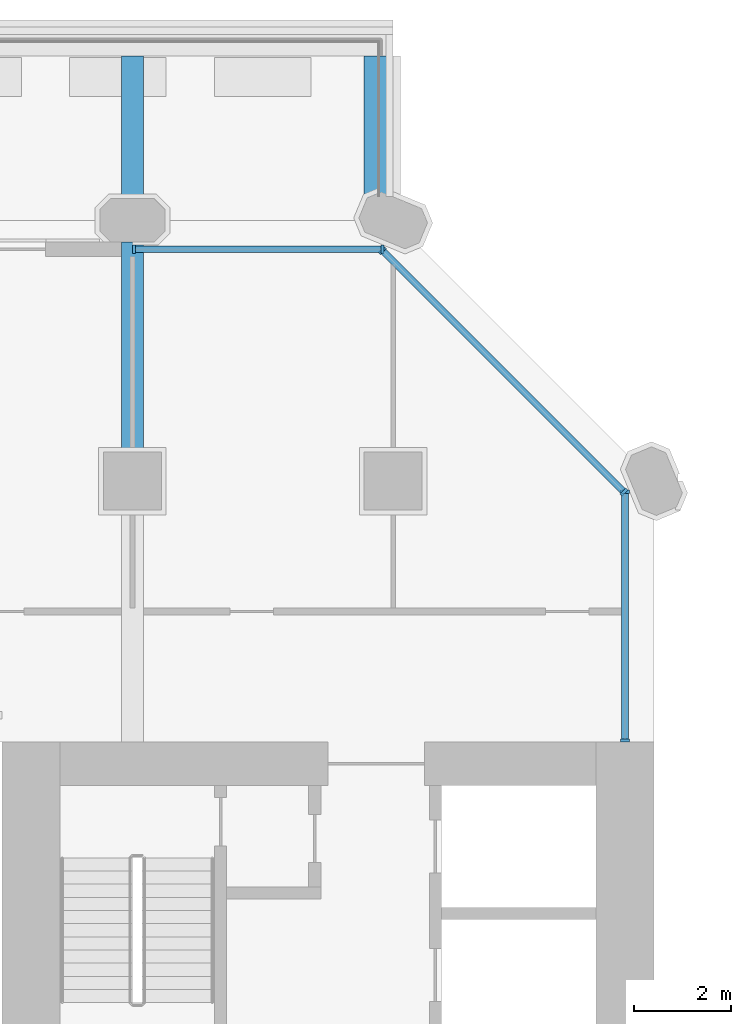
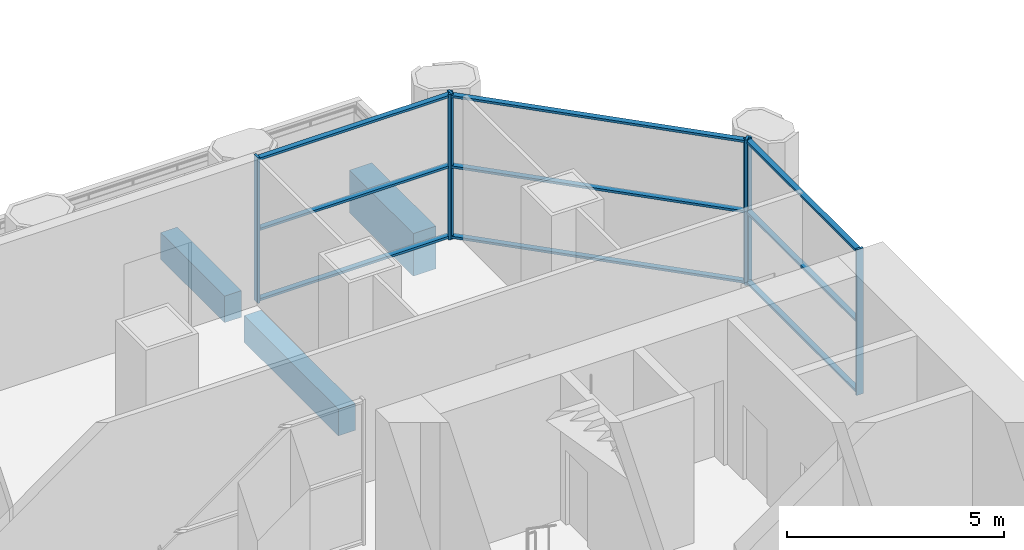
# One storey, part 9 of 23: 15 members, 3 beams, 3 elements without a shape of their own.
"""IFC4 building model written with IfcOpenShell, lengths in metres."""

from ifc_helpers import new_model, si_unit, direction, frame, origin, origin_2d, place, context, subcontext, project, spatial, rectangle, extrude, material, material_profile, profile_set, type_object, element, aggregate, save


model = new_model("IFC4")

# Units and contexts
model_context = context("Model", 3, precision=1e-05, world=origin(), true_north=direction((0.0, 1.0)))
body_context = subcontext(model_context, "Body", "Model", "MODEL_VIEW")
ifc_project = project(units=[si_unit("LENGTHUNIT", "METRE"), si_unit("AREAUNIT", "SQUARE_METRE"), si_unit("VOLUMEUNIT", "CUBIC_METRE"), si_unit("PLANEANGLEUNIT", "RADIAN"), si_unit("MASSUNIT", "GRAM", prefix="KILO")], contexts=[model_context])

# Site, building, storey
site_placement = place(None, origin())
site = spatial("IfcSite", under=ifc_project, at=site_placement, CompositionType="ELEMENT")
building_placement = place(site_placement, origin())
building = spatial("IfcBuilding", under=site, at=building_placement, Name="Tabaq Tower and Sports Hall", CompositionType="ELEMENT")
storey_placement = place(building_placement, frame((0.0, 0.0, 24.60009765625)))
storey = spatial("IfcBuildingStorey", under=building, at=storey_placement, Name="L04", CompositionType="ELEMENT", Elevation=24.60009765625)

# Curtain wall, members
ifc_material_1 = material(Name="Aluminium alloy 6063-T6 framed glazing", Category="aluminium")
curtain_wall_type = type_object("IfcCurtainWallType", Name="CW7 curtain wall", PredefinedType="USERDEFINED", material=ifc_material_1)
curtain_wall_1_placement = place(storey_placement, origin())
curtain_wall_1 = element("IfcCurtainWall", 1, at=curtain_wall_1_placement, inside=storey, type_object=curtain_wall_type, Name="Podium Wall L04 E", ObjectType="PODIUM WALL", PredefinedType="USERDEFINED")
ifc_material_2 = material(Name="Aluminium alloy 6063-T6", Category="aluminium")
ifc_material_profile_1 = material_profile(ifc_material_2, rectangle(XDim=0.179931640625, YDim=0.06494140625, at=origin_2d()), Name="MULLION 180x65")
ifc_profile_set_1 = profile_set([ifc_material_profile_1], Name="Aluminium alloy 6063-T6")
member_type_1 = type_object("IfcMemberType", Name="CW7 mullion 180x65", PredefinedType="MULLION", material=ifc_profile_set_1)
member_1_placement = place(storey_placement, frame((42.60009765625, 32.4326171875, 0.0), z_axis=(0.0, 0.0, 1.0), x_axis=(-1.0, 0.0, 0.0)))
member_1 = element("IfcMember", 2, at=member_1_placement, type_object=member_type_1, Name="CW7 mullion 1", PredefinedType="MULLION", context=body_context, shape_type="SweptSolid", body=[
    extrude(rectangle(XDim=0.179931640625, YDim=0.06494140625, at=origin_2d()), origin(), (0.0, 0.0, 1.0), 4.099853515625),
])
member_2_placement = place(storey_placement, frame((42.60009765625, 37.5810546875, 0.0), z_axis=(0.0, 0.0, 1.0), x_axis=(-1.0, 0.0, 0.0)))
member_2 = element("IfcMember", 3, at=member_2_placement, type_object=member_type_1, Name="CW7 mullion 2", PredefinedType="MULLION", context=body_context, shape_type="SweptSolid", body=[
    extrude(rectangle(XDim=0.179931640625, YDim=0.06494140625, at=origin_2d()), origin(), (0.0, 0.0, 1.0), 4.099853515625),
])

curtain_wall_2_placement = place(storey_placement, origin())
curtain_wall_2 = element("IfcCurtainWall", 4, at=curtain_wall_2_placement, inside=storey, type_object=curtain_wall_type, Name="Podium Wall L04 NE", ObjectType="PODIUM WALL", PredefinedType="USERDEFINED")
member_3_placement = place(storey_placement, frame((42.576904296875, 37.574462890625, 0.0), z_axis=(0.0, 0.0, 1.0), x_axis=(-0.707106781187, -0.707106781187, 0.0)))
member_3 = element("IfcMember", 5, at=member_3_placement, type_object=member_type_1, Name="CW7 mullion 1", PredefinedType="MULLION", context=body_context, shape_type="SweptSolid", body=[
    extrude(rectangle(XDim=0.179931640625, YDim=0.06494140625, at=origin_2d()), origin(), (0.0, 0.0, 1.0), 4.099853515625),
])
member_4_placement = place(storey_placement, frame((37.574462890625, 42.576904296875, 0.0), z_axis=(0.0, 0.0, 1.0), x_axis=(-0.707106781187, -0.707106781187, 0.0)))
member_4 = element("IfcMember", 6, at=member_4_placement, type_object=member_type_1, Name="CW7 mullion 2", PredefinedType="MULLION", context=body_context, shape_type="SweptSolid", body=[
    extrude(rectangle(XDim=0.179931640625, YDim=0.06494140625, at=origin_2d()), origin(), (0.0, 0.0, 1.0), 4.099853515625),
])

curtain_wall_3_placement = place(storey_placement, origin())
curtain_wall_3 = element("IfcCurtainWall", 7, at=curtain_wall_3_placement, inside=storey, type_object=curtain_wall_type, Name="Podium Wall L04 N", ObjectType="PODIUM WALL", PredefinedType="USERDEFINED")
member_5_placement = place(storey_placement, frame((37.5810546875, 42.60009765625, 0.0), z_axis=(0.0, 0.0, 1.0), x_axis=(0.0, -1.0, 0.0)))
member_5 = element("IfcMember", 8, at=member_5_placement, type_object=member_type_1, Name="CW7 mullion 1", PredefinedType="MULLION", context=body_context, shape_type="SweptSolid", body=[
    extrude(rectangle(XDim=0.179931640625, YDim=0.06494140625, at=origin_2d()), origin(), (0.0, 0.0, 1.0), 4.099853515625),
])
member_6_placement = place(storey_placement, frame((32.4326171875, 42.60009765625, 0.0), z_axis=(0.0, 0.0, 1.0), x_axis=(0.0, -1.0, 0.0)))
member_6 = element("IfcMember", 9, at=member_6_placement, type_object=member_type_1, Name="CW7 mullion 2", PredefinedType="MULLION", context=body_context, shape_type="SweptSolid", body=[
    extrude(rectangle(XDim=0.179931640625, YDim=0.06494140625, at=origin_2d()), origin(), (0.0, 0.0, 1.0), 4.099853515625),
])

# Member
ifc_material_3 = material(Name="Aluminium alloy 6063-T6", Category="aluminium")
ifc_material_profile_2 = material_profile(ifc_material_3, rectangle(XDim=0.139892578125, YDim=0.06494140625, at=origin_2d()), Name="TRANSOM 140x65")
ifc_profile_set_2 = profile_set([ifc_material_profile_2], Name="Aluminium alloy 6063-T6")
member_type_2 = type_object("IfcMemberType", Name="CW7 transom 140x65", PredefinedType="USERDEFINED", material=ifc_profile_set_2)
member_7_placement = place(storey_placement, frame((42.60009765625, 32.465087890625, 0.06982421875), z_axis=(0.0, 1.0, 0.0), x_axis=(-1.0, 0.0, 0.0)))
member_7 = element("IfcMember", 10, at=member_7_placement, type_object=member_type_2, Name="CW7 transom 1.1", ObjectType="TRANSOM", PredefinedType="USERDEFINED", context=body_context, shape_type="SweptSolid", body=[
    extrude(rectangle(XDim=0.139892578125, YDim=0.06494140625, at=origin_2d()), origin(), (0.0, 0.0, 1.0), 5.08349609375),
])

member_8_placement = place(storey_placement, frame((42.60009765625, 32.465087890625, 2.0498046875), z_axis=(0.0, 1.0, 0.0), x_axis=(-1.0, 0.0, 0.0)))
member_8 = element("IfcMember", 11, at=member_8_placement, type_object=member_type_2, Name="CW7 transom 1.2", ObjectType="TRANSOM", PredefinedType="USERDEFINED", context=body_context, shape_type="SweptSolid", body=[
    extrude(rectangle(XDim=0.139892578125, YDim=0.06494140625, at=origin_2d()), origin(), (0.0, 0.0, 1.0), 5.08349609375),
])

member_9_placement = place(storey_placement, frame((42.60009765625, 32.465087890625, 4.02978515625), z_axis=(0.0, 1.0, 0.0), x_axis=(-1.0, 0.0, 0.0)))
member_9 = element("IfcMember", 12, at=member_9_placement, type_object=member_type_2, Name="CW7 transom 1.3", ObjectType="TRANSOM", PredefinedType="USERDEFINED", context=body_context, shape_type="SweptSolid", body=[
    extrude(rectangle(XDim=0.139892578125, YDim=0.06494140625, at=origin_2d()), origin(), (0.0, 0.0, 1.0), 5.08349609375),
])

aggregate(curtain_wall_1, [member_1, member_2, member_7, member_8, member_9])

member_10_placement = place(storey_placement, frame((42.553955078125, 37.597412109375, 0.06982421875), z_axis=(-0.707106781187, 0.707106781187, 0.0), x_axis=(-0.707106781187, -0.707106781187, 0.0)))
member_10 = element("IfcMember", 13, at=member_10_placement, type_object=member_type_2, Name="CW7 transom 1.1", ObjectType="TRANSOM", PredefinedType="USERDEFINED", context=body_context, shape_type="SweptSolid", body=[
    extrude(rectangle(XDim=0.139892578125, YDim=0.06494140625, at=origin_2d()), origin(), (0.0, 0.0, 1.0), 7.009521484375),
])

member_11_placement = place(storey_placement, frame((42.553955078125, 37.597412109375, 2.0498046875), z_axis=(-0.707106781187, 0.707106781187, 0.0), x_axis=(-0.707106781187, -0.707106781187, 0.0)))
member_11 = element("IfcMember", 14, at=member_11_placement, type_object=member_type_2, Name="CW7 transom 1.2", ObjectType="TRANSOM", PredefinedType="USERDEFINED", context=body_context, shape_type="SweptSolid", body=[
    extrude(rectangle(XDim=0.139892578125, YDim=0.06494140625, at=origin_2d()), origin(), (0.0, 0.0, 1.0), 7.009521484375),
])

member_12_placement = place(storey_placement, frame((42.553955078125, 37.597412109375, 4.02978515625), z_axis=(-0.707106781187, 0.707106781187, 0.0), x_axis=(-0.707106781187, -0.707106781187, 0.0)))
member_12 = element("IfcMember", 15, at=member_12_placement, type_object=member_type_2, Name="CW7 transom 1.3", ObjectType="TRANSOM", PredefinedType="USERDEFINED", context=body_context, shape_type="SweptSolid", body=[
    extrude(rectangle(XDim=0.139892578125, YDim=0.06494140625, at=origin_2d()), origin(), (0.0, 0.0, 1.0), 7.009521484375),
])

aggregate(curtain_wall_2, [member_3, member_4, member_10, member_11, member_12])

member_13_placement = place(storey_placement, frame((37.548583984375, 42.60009765625, 0.06982421875), z_axis=(-1.0, 0.0, 0.0), x_axis=(0.0, -1.0, 0.0)))
member_13 = element("IfcMember", 16, at=member_13_placement, type_object=member_type_2, Name="CW7 transom 1.1", ObjectType="TRANSOM", PredefinedType="USERDEFINED", context=body_context, shape_type="SweptSolid", body=[
    extrude(rectangle(XDim=0.139892578125, YDim=0.06494140625, at=origin_2d()), origin(), (0.0, 0.0, 1.0), 5.08349609375),
])

member_14_placement = place(storey_placement, frame((37.548583984375, 42.60009765625, 2.0498046875), z_axis=(-1.0, 0.0, 0.0), x_axis=(0.0, -1.0, 0.0)))
member_14 = element("IfcMember", 17, at=member_14_placement, type_object=member_type_2, Name="CW7 transom 1.2", ObjectType="TRANSOM", PredefinedType="USERDEFINED", context=body_context, shape_type="SweptSolid", body=[
    extrude(rectangle(XDim=0.139892578125, YDim=0.06494140625, at=origin_2d()), origin(), (0.0, 0.0, 1.0), 5.08349609375),
])

member_15_placement = place(storey_placement, frame((37.548583984375, 42.60009765625, 4.02978515625), z_axis=(-1.0, 0.0, 0.0), x_axis=(0.0, -1.0, 0.0)))
member_15 = element("IfcMember", 18, at=member_15_placement, type_object=member_type_2, Name="CW7 transom 1.3", ObjectType="TRANSOM", PredefinedType="USERDEFINED", context=body_context, shape_type="SweptSolid", body=[
    extrude(rectangle(XDim=0.139892578125, YDim=0.06494140625, at=origin_2d()), origin(), (0.0, 0.0, 1.0), 5.08349609375),
])

aggregate(curtain_wall_3, [member_5, member_6, member_13, member_14, member_15])

# Beams
ifc_material_4 = material(Name="Concrete C40/50", Category="concrete")
ifc_material_profile_3 = material_profile(ifc_material_4, rectangle(XDim=0.60009765625, YDim=1.199951171875, at=origin_2d()), Name="EBT 600x1200")
ifc_profile_set_3 = profile_set([ifc_material_profile_3], Name="Concrete C40/50")
beam_type_1 = type_object("IfcBeamType", Name="Concrete C40/50 PT edge band EBT 600x1200", PredefinedType="BEAM", material=ifc_profile_set_3)
beam_1_placement = place(storey_placement, frame((37.5, 43.64990234375, -1.0), z_axis=(0.0, 1.0, 0.0), x_axis=(-1.0, 0.0, 0.0)))
element("IfcBeam", 19, at=beam_1_placement, inside=storey, type_object=beam_type_1, Name="Tray edge band L04", PredefinedType="BEAM", context=body_context, shape_type="SweptSolid", body=[
    extrude(rectangle(XDim=0.60009765625, YDim=1.199951171875, at=origin_2d()), origin(), (0.0, 0.0, 1.0), 2.9501953125),
])
ifc_material_5 = material(Name="Concrete C40/50", Category="concrete")
ifc_material_profile_4 = material_profile(ifc_material_5, rectangle(XDim=0.449951171875, YDim=0.75, at=origin_2d()), Name="CB 450x750")
ifc_profile_set_4 = profile_set([ifc_material_profile_4], Name="Concrete C40/50")
beam_type_2 = type_object("IfcBeamType", Name="PT CANTILEVER BEAM CB 450x750 C40/50", PredefinedType="BEAM", material=ifc_profile_set_4)
beam_2_placement = place(storey_placement, frame((32.39990234375, 46.60009765625, -0.775146484375), z_axis=(0.0, -1.0, 0.0), x_axis=(1.0, 0.0, 0.0)))
element("IfcBeam", 20, at=beam_2_placement, inside=storey, type_object=beam_type_2, Name="Tray Cantilever Beam L04 T1 span 1", PredefinedType="BEAM", context=body_context, shape_type="SweptSolid", body=[
    extrude(rectangle(XDim=0.449951171875, YDim=0.75, at=origin_2d()), origin(), (0.0, 0.0, 1.0), 2.9501953125),
])
beam_3_placement = place(storey_placement, frame((32.39990234375, 42.75, -0.775146484375), z_axis=(0.0, -1.0, 0.0), x_axis=(1.0, 0.0, 0.0)))
element("IfcBeam", 21, at=beam_3_placement, inside=storey, type_object=beam_type_2, Name="Tray Cantilever Beam L04 T1 span 2", PredefinedType="BEAM", context=body_context, shape_type="SweptSolid", body=[
    extrude(rectangle(XDim=0.449951171875, YDim=0.75, at=origin_2d()), origin(), (0.0, 0.0, 1.0), 4.35009765625),
])

save(model, "model.ifc")
